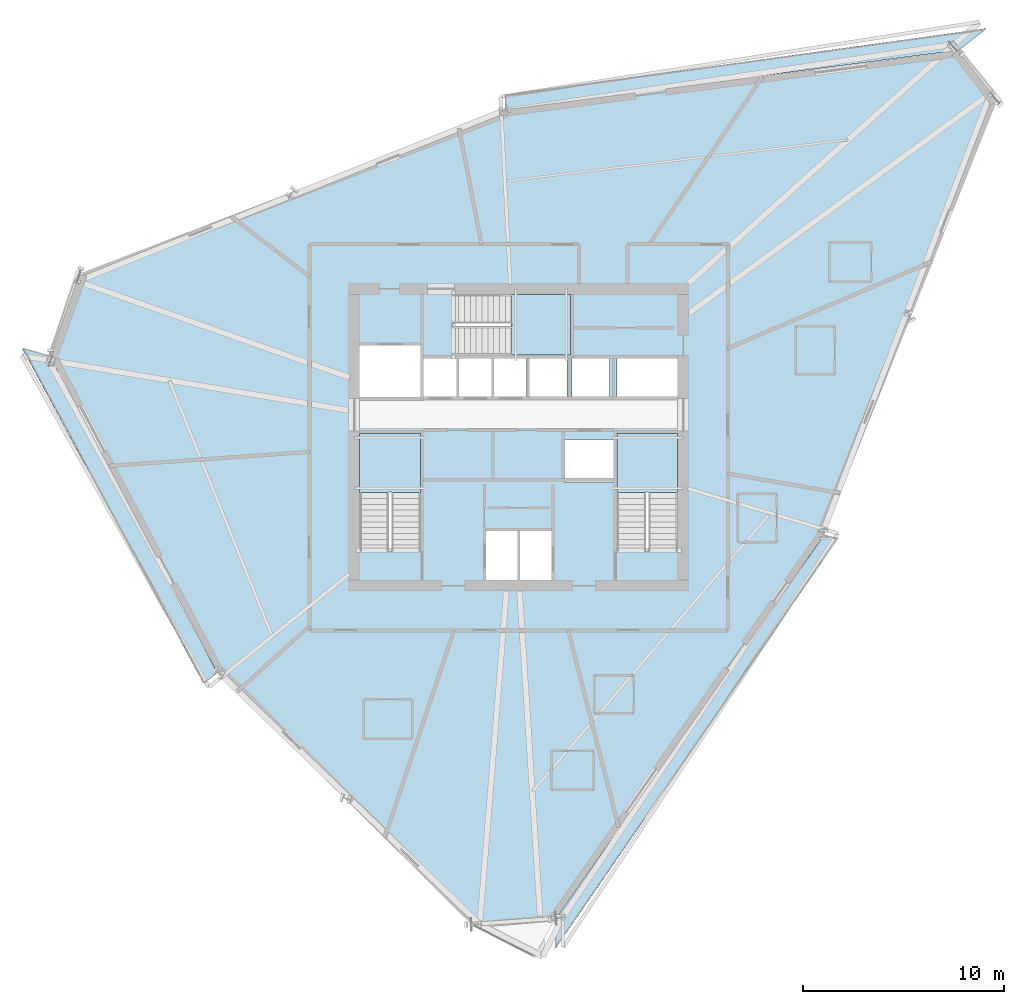
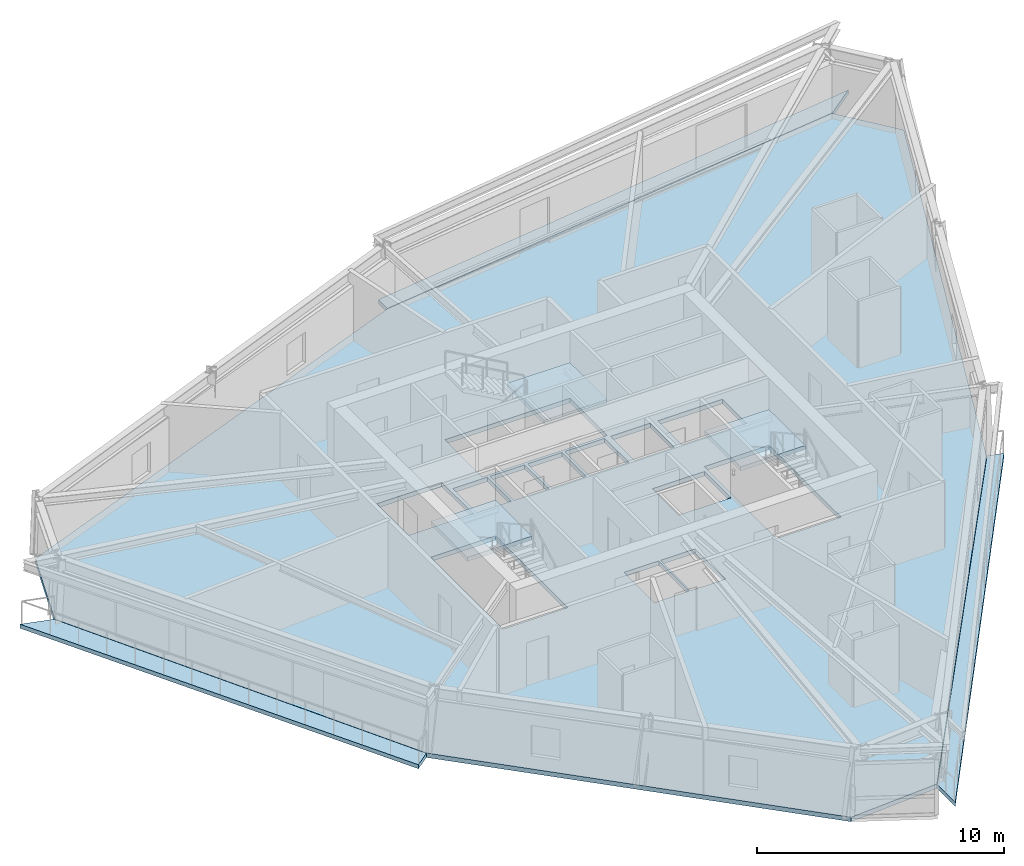
# One storey, part 4 of 13: 7 slabs, 3 elements without a shape of their own.
"""IFC4 building model written with IfcOpenShell, lengths in metres."""

from ifc_helpers import new_model, si_unit, direction, frame, origin, place, context, subcontext, project, spatial, polyline, outline, extrude, material, layer, layer_set, type_object, element, aggregate, save


model = new_model("IFC4")

# Units and contexts
model_context = context("Model", 3, precision=1e-05, world=origin(), true_north=direction((0.0, 1.0)))
body_context = subcontext(model_context, "Body", "Model", "MODEL_VIEW")
ifc_project = project(units=[si_unit("LENGTHUNIT", "METRE"), si_unit("AREAUNIT", "SQUARE_METRE"), si_unit("VOLUMEUNIT", "CUBIC_METRE"), si_unit("PLANEANGLEUNIT", "RADIAN"), si_unit("MASSUNIT", "GRAM", prefix="KILO")], contexts=[model_context])

# Site, building, storey
site_placement = place(None, origin())
site = spatial("IfcSite", under=ifc_project, at=site_placement, CompositionType="ELEMENT")
building_placement = place(site_placement, origin())
building = spatial("IfcBuilding", under=site, at=building_placement, Name="Olszyna Solenne Hotel", CompositionType="ELEMENT")
storey_placement = place(building_placement, frame((0.0, 0.0, 189.199951171875)))
storey = spatial("IfcBuildingStorey", under=building, at=storey_placement, Name="L50", CompositionType="ELEMENT", Elevation=189.199951171875)

# Stair, slab
ifc_material_1 = material(Name="Concrete C40/50", Category="concrete")
stair_type = type_object("IfcStairType", Name="STR-C1", PredefinedType="TWO_QUARTER_WINDING_STAIR", material=ifc_material_1)
stair_1_placement = place(storey_placement, origin())
stair_1 = element("IfcStair", 1, at=stair_1_placement, inside=storey, type_object=stair_type, Name="L50 ST1", PredefinedType="TWO_QUARTER_WINDING_STAIR")
ifc_layer_1 = layer(ifc_material_1, 0.18994140625, Name="Concrete C40/50")
ifc_layer_set_1 = layer_set([ifc_layer_1], Name="Concrete C40/50")
slab_type_1 = type_object("IfcSlabType", Name="SL-LN190", PredefinedType="LANDING", material=ifc_layer_set_1)
slab_1_placement = place(storey_placement, frame((0.0, 0.0, 1.574951171875)))
slab_1 = element("IfcSlab", 2, at=slab_1_placement, type_object=slab_type_1, Name="ST1 landing 1", PredefinedType="LANDING", context=body_context, shape_type="SweptSolid", body=[
    extrude(outline(polyline([(33.1201171875, 23.85009765625), (33.1201171875, 26.800048828125), (30.10009765625, 26.800048828125), (30.10009765625, 23.85009765625), (33.1201171875, 23.85009765625)])), origin(), (0.0, 0.0, 1.0), 0.2001953125),
])
aggregate(stair_1, [slab_1])

stair_2_placement = place(storey_placement, origin())
stair_2 = element("IfcStair", 3, at=stair_2_placement, inside=storey, type_object=stair_type, Name="L50 ST2", PredefinedType="TWO_QUARTER_WINDING_STAIR")
slab_2_placement = place(storey_placement, frame((0.0, 0.0, 1.574951171875)))
slab_2 = element("IfcSlab", 4, at=slab_2_placement, type_object=slab_type_1, Name="ST2 landing 1", PredefinedType="LANDING", context=body_context, shape_type="SweptSolid", body=[
    extrude(outline(polyline([(45.89990234375, 23.85009765625), (45.89990234375, 26.800048828125), (42.8798828125, 26.800048828125), (42.8798828125, 23.85009765625), (45.89990234375, 23.85009765625)])), origin(), (0.0, 0.0, 1.0), 0.2001953125),
])
aggregate(stair_2, [slab_2])

stair_3_placement = place(storey_placement, origin())
stair_3 = element("IfcStair", 5, at=stair_3_placement, inside=storey, type_object=stair_type, Name="L50 ST3", PredefinedType="TWO_QUARTER_WINDING_STAIR")
slab_3_placement = place(storey_placement, frame((0.0, 0.0, 1.574951171875)))
slab_3 = element("IfcSlab", 6, at=slab_3_placement, type_object=slab_type_1, Name="ST3 landing 1", PredefinedType="LANDING", context=body_context, shape_type="SweptSolid", body=[
    extrude(outline(polyline([(37.6298828125, 30.679931640625), (40.580078125, 30.679931640625), (40.580078125, 33.699951171875), (37.6298828125, 33.699951171875), (37.6298828125, 30.679931640625)])), origin(), (0.0, 0.0, 1.0), 0.2001953125),
])
aggregate(stair_3, [slab_3])

# Slabs
ifc_material_2 = material(Name="Precast concrete C45/55", Category="concrete")
ifc_layer_2 = layer(ifc_material_2, 0.199951171875, Name="Precast concrete C45/55")
ifc_layer_set_2 = layer_set([ifc_layer_2], Name="Precast concrete C45/55")
slab_type_2 = type_object("IfcSlabType", Name="SL-LOG200", PredefinedType="FLOOR", material=ifc_layer_set_2)
slab_4_placement = place(storey_placement, frame((0.0, 0.0, -0.199951171875)))
element("IfcSlab", 7, at=slab_4_placement, inside=storey, type_object=slab_type_2, Name="Exterior loggia balcony slab SL-L50-LG1", PredefinedType="FLOOR", context=body_context, shape_type="SweptSolid", body=[
    extrude(outline(polyline([(37.349365234375, 42.88818359375), (59.840576171875, 45.834716796875), (59.842041015625, 45.834716796875), (59.843505859375, 45.834716796875), (59.8447265625, 45.834716796875), (59.84619140625, 45.834228515625), (59.847412109375, 45.833984375), (59.848876953125, 45.83349609375), (59.85009765625, 45.832763671875), (59.851318359375, 45.83203125), (59.852294921875, 45.8310546875), (59.853515625, 45.830078125), (59.854248046875, 45.8291015625), (61.24169921875, 46.921630859375), (37.349853515625, 43.61962890625), (37.349365234375, 42.88818359375)])), origin(), (0.0, 0.0, 1.0), 0.199951171875),
])
slab_5_placement = place(storey_placement, frame((0.0, 0.0, -0.199951171875)))
element("IfcSlab", 8, at=slab_5_placement, inside=storey, type_object=slab_type_2, Name="Exterior loggia balcony slab SL-L50-LG2", PredefinedType="FLOOR", context=body_context, shape_type="SweptSolid", body=[
    extrude(outline(polyline([(23.020751953125, 14.903076171875), (23.02001953125, 14.904052734375), (23.019287109375, 14.9052734375), (14.705078125, 30.623779296875), (14.70458984375, 30.625), (14.7041015625, 30.626708984375), (14.70361328125, 30.628173828125), (14.70361328125, 30.629638671875), (14.70361328125, 30.631103515625), (14.70361328125, 30.6328125), (14.703857421875, 30.63427734375), (14.7041015625, 30.634765625), (13.3203125, 31.02197265625), (22.3330078125, 14.361328125), (23.020751953125, 14.903076171875)])), origin(), (0.0, 0.0, 1.0), 0.199951171875),
])
slab_6_placement = place(storey_placement, frame((0.0, 0.0, -0.199951171875)))
element("IfcSlab", 9, at=slab_6_placement, inside=storey, type_object=slab_type_2, Name="Exterior loggia balcony slab SL-L50-LG3", PredefinedType="FLOOR", context=body_context, shape_type="SweptSolid", body=[
    extrude(outline(polyline([(53.177978515625, 21.739013671875), (53.177490234375, 21.737548828125), (53.1767578125, 21.736083984375), (53.17578125, 21.734619140625), (39.8466796875, 2.679931640625), (39.833984375, 2.6572265625), (39.8330078125, 1.19482421875), (53.862548828125, 21.547607421875), (53.177978515625, 21.739013671875)])), origin(), (0.0, 0.0, 1.0), 0.199951171875),
])
ifc_material_3 = material(Name="Concrete C50/60", Category="concrete")
ifc_layer_3 = layer(ifc_material_3, 0.219970703125, Name="Concrete C50/60")
ifc_layer_set_3 = layer_set([ifc_layer_3], Name="Concrete C50/60")
slab_type_3 = type_object("IfcSlabType", Name="SL-TW225", PredefinedType="FLOOR", material=ifc_layer_set_3)
slab_7_placement = place(storey_placement, frame((0.0, 0.0, -0.219970703125)))
element("IfcSlab", 10, at=slab_7_placement, inside=storey, type_object=slab_type_3, Name="Floor slab SL-TW225 SL-L50-01", PredefinedType="FLOOR", context=body_context, shape_type="SweptSolid", body=[
    extrude(outline(polyline([(61.772216796875, 43.345703125), (59.842529296875, 45.81982421875), (37.349365234375, 42.873046875), (16.177001953125, 34.727294921875), (14.718505859375, 30.630615234375), (23.03271484375, 14.912353515625), (35.656005859375, 2.388427734375), (39.833984375, 2.68798828125), (53.16357421875, 21.7431640625), (61.772216796875, 43.345703125)]), holes=[polyline([(30.10009765625, 20.949951171875), (33.1201171875, 20.949951171875), (33.1201171875, 26.800048828125), (30.10009765625, 26.800048828125), (30.10009765625, 20.949951171875)]), polyline([(42.8798828125, 20.949951171875), (45.89990234375, 20.949951171875), (45.89990234375, 26.800048828125), (42.8798828125, 26.800048828125), (42.8798828125, 20.949951171875)]), polyline([(34.72998046875, 30.679931640625), (40.580078125, 30.679931640625), (40.580078125, 33.699951171875), (34.72998046875, 33.699951171875), (34.72998046875, 30.679931640625)]), polyline([(36.340087890625, 19.5), (37.9599609375, 19.5), (37.9599609375, 21.9599609375), (36.340087890625, 21.9599609375), (36.340087890625, 19.5)]), polyline([(38.0400390625, 19.5), (39.659912109375, 19.5), (39.659912109375, 21.9599609375), (38.0400390625, 21.9599609375), (38.0400390625, 19.5)]), polyline([(30.10009765625, 28.60009765625), (33.1201171875, 28.60009765625), (33.1201171875, 31.159912109375), (30.10009765625, 31.159912109375), (30.10009765625, 28.60009765625)]), polyline([(40.280029296875, 24.360107421875), (42.719970703125, 24.360107421875), (42.719970703125, 26.5), (40.280029296875, 26.5), (40.280029296875, 24.360107421875)]), polyline([(33.280029296875, 28.60009765625), (34.89990234375, 28.60009765625), (34.89990234375, 30.550048828125), (33.280029296875, 30.550048828125), (33.280029296875, 28.60009765625)]), polyline([(35.030029296875, 28.60009765625), (36.64990234375, 28.60009765625), (36.64990234375, 30.550048828125), (35.030029296875, 30.550048828125), (35.030029296875, 28.60009765625)]), polyline([(36.780029296875, 28.60009765625), (38.39990234375, 28.60009765625), (38.39990234375, 30.550048828125), (36.780029296875, 30.550048828125), (36.780029296875, 28.60009765625)]), polyline([(38.530029296875, 28.60009765625), (40.389892578125, 28.60009765625), (40.389892578125, 30.550048828125), (38.530029296875, 30.550048828125), (38.530029296875, 28.60009765625)]), polyline([(40.659912109375, 28.60009765625), (42.52001953125, 28.60009765625), (42.52001953125, 30.550048828125), (40.659912109375, 30.550048828125), (40.659912109375, 28.60009765625)]), polyline([(42.8798828125, 28.60009765625), (45.89990234375, 28.60009765625), (45.89990234375, 30.550048828125), (42.8798828125, 30.550048828125), (42.8798828125, 28.60009765625)])]), origin(), (0.0, 0.0, 1.0), 0.219970703125),
])

save(model, "model.ifc")
